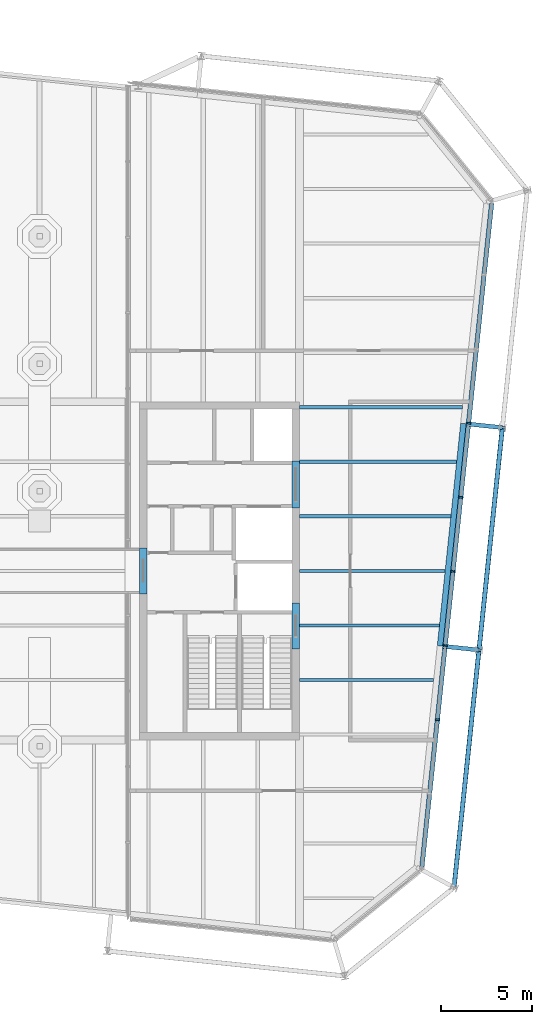
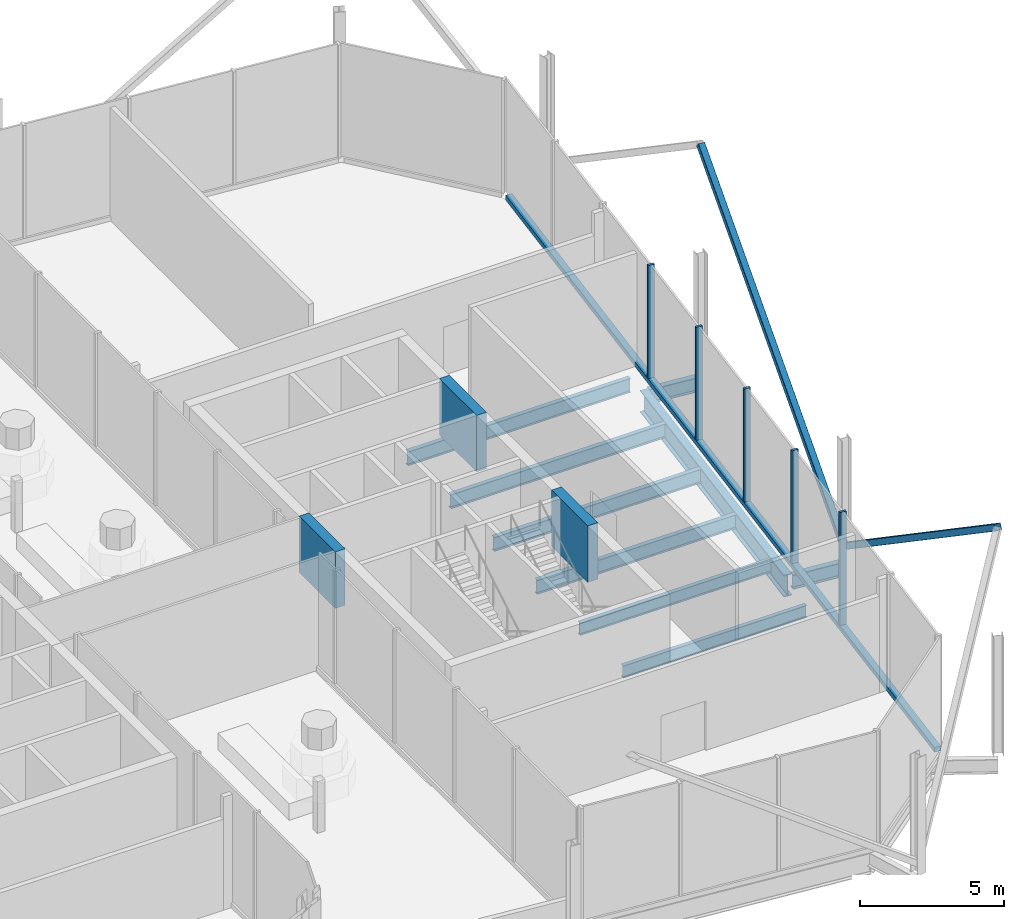
# One storey, part 5 of 14: 12 beams, 8 members, 1 element without a shape of its own.
"""IFC4 building model written with IfcOpenShell, lengths in metres."""

from ifc_helpers import new_model, si_unit, direction, frame, origin, origin_2d, place, context, subcontext, project, spatial, rectangle, hollow_rectangle, i_section, extrude, material, layer, layer_set, material_profile, profile_set, type_object, element, aggregate, save


model = new_model("IFC4")

# Units and contexts
model_context = context("Model", 3, precision=1e-05, world=origin(), true_north=direction((0.0, 1.0)))
body_context = subcontext(model_context, "Body", "Model", "MODEL_VIEW")
ifc_project = project(units=[si_unit("LENGTHUNIT", "METRE"), si_unit("AREAUNIT", "SQUARE_METRE"), si_unit("VOLUMEUNIT", "CUBIC_METRE"), si_unit("PLANEANGLEUNIT", "RADIAN"), si_unit("MASSUNIT", "GRAM", prefix="KILO")], contexts=[model_context])

# Site, building, storey
site_placement = place(None, origin())
site = spatial("IfcSite", under=ifc_project, at=site_placement, CompositionType="ELEMENT")
building_placement = place(site_placement, origin())
building = spatial("IfcBuilding", under=site, at=building_placement, Name="Millrace Tower", CompositionType="ELEMENT")
storey_placement = place(building_placement, frame((0.0, 0.0, 342.10009765625)))
storey = spatial("IfcBuildingStorey", under=building, at=storey_placement, Name="L79", CompositionType="ELEMENT", Elevation=342.10009765625)

# Curtain wall, members
ifc_material_1 = material(Name="Aluminium and glass", Category="aluminium")
ifc_layer = layer(ifc_material_1, 0.25)
ifc_layer_set = layer_set([ifc_layer], Name="Aluminium and glass")
curtain_wall_type = type_object("IfcCurtainWallType", Name="CW-7 crown louvred enclosure", PredefinedType="NOTDEFINED", material=ifc_layer_set)
curtain_wall_placement = place(storey_placement, origin())
curtain_wall = element("IfcCurtainWall", 1, at=curtain_wall_placement, inside=storey, type_object=curtain_wall_type, Name="Curtain wall CE-F04 L79", PredefinedType="NOTDEFINED")
ifc_material_2 = material(Name="Aluminium", Category="aluminium")
ifc_material_profile_1 = material_profile(ifc_material_2, rectangle(XDim=0.10009765625, YDim=0.25, at=origin_2d()))
ifc_profile_set_1 = profile_set([ifc_material_profile_1], Name="Aluminium")
member_type_1 = type_object("IfcMemberType", Name="CW-7 crown louvred enclosure mullion", PredefinedType="MULLION", material=ifc_profile_set_1)
member_1_placement = place(storey_placement, frame((21.883544921875, -8.185302734375, 0.199951171875), z_axis=(0.0, 0.0, 1.0), x_axis=(0.104528455196, 0.994521896217, 0.0)))
member_1 = element("IfcMember", 2, at=member_1_placement, type_object=member_type_1, Name="CW7 mullion CE-F04.3", PredefinedType="MULLION", context=body_context, shape_type="SweptSolid", body=[
    extrude(rectangle(XDim=0.10009765625, YDim=0.25, at=origin_2d()), origin(), (0.0, 0.0, 1.0), 4.800048828125),
])
member_2_placement = place(storey_placement, frame((22.31201171875, -4.107666015625, 0.199951171875), z_axis=(0.0, 0.0, 1.0), x_axis=(0.104528455196, 0.994521896217, 0.0)))
member_2 = element("IfcMember", 3, at=member_2_placement, type_object=member_type_1, Name="CW7 mullion CE-F04.4", PredefinedType="MULLION", context=body_context, shape_type="SweptSolid", body=[
    extrude(rectangle(XDim=0.10009765625, YDim=0.25, at=origin_2d()), origin(), (0.0, 0.0, 1.0), 4.800048828125),
])
member_3_placement = place(storey_placement, frame((22.74072265625, -0.030029296875, 0.199951171875), z_axis=(0.0, 0.0, 1.0), x_axis=(0.104528455196, 0.994521896217, 0.0)))
member_3 = element("IfcMember", 4, at=member_3_placement, type_object=member_type_1, Name="CW7 mullion CE-F04.5", PredefinedType="MULLION", context=body_context, shape_type="SweptSolid", body=[
    extrude(rectangle(XDim=0.10009765625, YDim=0.25, at=origin_2d()), origin(), (0.0, 0.0, 1.0), 4.800048828125),
])
member_4_placement = place(storey_placement, frame((23.169189453125, 4.04736328125, 0.199951171875), z_axis=(0.0, 0.0, 1.0), x_axis=(0.104528455196, 0.994521896217, 0.0)))
member_4 = element("IfcMember", 5, at=member_4_placement, type_object=member_type_1, Name="CW7 mullion CE-F04.6", PredefinedType="MULLION", context=body_context, shape_type="SweptSolid", body=[
    extrude(rectangle(XDim=0.10009765625, YDim=0.25, at=origin_2d()), origin(), (0.0, 0.0, 1.0), 4.800048828125),
])
member_5_placement = place(storey_placement, frame((23.59765625, 8.125, 0.199951171875), z_axis=(0.0, 0.0, 1.0), x_axis=(0.104528455196, 0.994521896217, 0.0)))
member_5 = element("IfcMember", 6, at=member_5_placement, type_object=member_type_1, Name="CW7 mullion CE-F04.7", PredefinedType="MULLION", context=body_context, shape_type="SweptSolid", body=[
    extrude(rectangle(XDim=0.10009765625, YDim=0.25, at=origin_2d()), origin(), (0.0, 0.0, 1.0), 4.800048828125),
])
ifc_material_3 = material(Name="Aluminium", Category="aluminium")
ifc_material_profile_2 = material_profile(ifc_material_3, rectangle(XDim=0.25, YDim=0.199951171875, at=origin_2d()))
ifc_profile_set_2 = profile_set([ifc_material_profile_2], Name="Aluminium")
member_type_2 = type_object("IfcMemberType", Name="CW-7 crown louvred enclosure transom", PredefinedType="USERDEFINED", material=ifc_profile_set_2)
member_6_placement = place(storey_placement, frame((21.031494140625, -16.29052734375, 0.099853515625), z_axis=(0.104527916025, 0.994521952886, 0.0), x_axis=(-0.994521952886, 0.104527916025, 0.0)))
member_6 = element("IfcMember", 7, at=member_6_placement, type_object=member_type_2, Name="CW7 transom CE-F04.1", ObjectType="TRANSOM", PredefinedType="USERDEFINED", context=body_context, shape_type="SweptSolid", body=[
    extrude(rectangle(XDim=0.25, YDim=0.199951171875, at=origin_2d()), origin(), (0.0, 0.0, 1.0), 36.699951171875),
])
aggregate(curtain_wall, [member_1, member_2, member_3, member_4, member_5, member_6])

# Beams
ifc_material_4 = material(Name="Concrete C60", Category="concrete")
ifc_material_profile_3 = material_profile(ifc_material_4, rectangle(XDim=0.39990234375, YDim=2.39990234375, at=origin_2d()))
ifc_profile_set_3 = profile_set([ifc_material_profile_3], Name="Concrete C60")
beam_type_1 = type_object("IfcBeamType", Name="Coupling beam 400 x 2400 Concrete C60, 1300 opening", PredefinedType="BEAM", material=ifc_profile_set_3)
for number, where, z_axis, x_axis, name in (
    (8, (14.10009765625, -1.77001953125, 3.599853515625), (0.0, -1.0, 0.0), (1.0, 0.0, 0.0), "Coupling beam E L79"),
    (9, (5.699951171875, 1.260009765625, 3.599853515625), (0.0, -1.0, 0.0), (1.0, 0.0, 0.0), "Coupling beam E L79"),
):
    element("IfcBeam", number, at=place(storey_placement, frame(where, z_axis=z_axis, x_axis=x_axis)), inside=storey, type_object=beam_type_1, Name=name, PredefinedType="BEAM", context=body_context, shape_type="SweptSolid", body=[
        extrude(rectangle(XDim=0.39990234375, YDim=2.39990234375, at=origin_2d()), origin(), (0.0, 0.0, 1.0), 2.52001953125),
    ])
ifc_material_5 = material(Name="Concrete C60", Category="concrete")
ifc_material_profile_4 = material_profile(ifc_material_5, rectangle(XDim=0.39990234375, YDim=2.39990234375, at=origin_2d()))
ifc_profile_set_4 = profile_set([ifc_material_profile_4], Name="Concrete C60")
beam_type_2 = type_object("IfcBeamType", Name="Coupling beam 400 x 2400 Concrete C60, 2000 opening", PredefinedType="BEAM", material=ifc_profile_set_4)
beam_1_placement = place(storey_placement, frame((14.10009765625, 6.050048828125, 3.599853515625), z_axis=(0.0, -1.0, 0.0), x_axis=(1.0, 0.0, 0.0)))
element("IfcBeam", 10, at=beam_1_placement, inside=storey, type_object=beam_type_2, Name="Coupling beam E L79", PredefinedType="BEAM", context=body_context, shape_type="SweptSolid", body=[
    extrude(rectangle(XDim=0.39990234375, YDim=2.39990234375, at=origin_2d()), origin(), (0.0, 0.0, 1.0), 2.60009765625),
])

# Members
ifc_material_6 = material(Name="Steel ASTM A500 Grade C", Category="steel")
ifc_material_profile_5 = material_profile(ifc_material_6, hollow_rectangle(XDim=0.25390625, YDim=0.25390625, WallThickness=0.009521484375, InnerFilletRadius=0.004638671875, OuterFilletRadius=0.014404296875, at=origin_2d()))
ifc_profile_set_5 = profile_set([ifc_material_profile_5], Name="Steel ASTM A500 Grade C")
member_type_3 = type_object("IfcMemberType", Name="Exoskeleton brace HSS10x10x3/8", PredefinedType="BRACE", material=ifc_profile_set_5)
member_7_placement = place(storey_placement, frame((24.171630859375, -4.353271484375, 0.39990234375), z_axis=(-0.085602921275, -0.814453696815, 0.57387918207), x_axis=(0.994521846076, -0.104528932251, 0.0)))
element("IfcMember", 11, at=member_7_placement, inside=storey, type_object=member_type_3, Name="BRC-CROWN-L79-06", PredefinedType="BRACE", context=body_context, shape_type="SweptSolid", body=[
    extrude(hollow_rectangle(XDim=0.25390625, YDim=0.25390625, WallThickness=0.009521484375, InnerFilletRadius=0.004638671875, OuterFilletRadius=0.014404296875, at=origin_2d()), origin(), (0.0, 0.0, 1.0), 16.03125),
])
member_8_placement = place(storey_placement, frame((24.171630859375, -4.353271484375, 0.39990234375), z_axis=(0.083701786442, 0.796390867434, 0.598962099982), x_axis=(-0.994522189618, 0.10452566363, 0.0)))
element("IfcMember", 12, at=member_8_placement, inside=storey, type_object=member_type_3, Name="BRC-CROWN-L79-07", PredefinedType="BRACE", context=body_context, shape_type="SweptSolid", body=[
    extrude(hollow_rectangle(XDim=0.25390625, YDim=0.25390625, WallThickness=0.009521484375, InnerFilletRadius=0.004638671875, OuterFilletRadius=0.014404296875, at=origin_2d()), origin(), (0.0, 0.0, 1.0), 15.35986328125),
])

# Beams
ifc_material_7 = material(Name="Steel ASTM A992 Grade 50", Category="steel")
ifc_material_profile_6 = material_profile(ifc_material_7, i_section(OverallWidth=0.1650390625, OverallDepth=0.52587890625, WebThickness=0.0087890625, FlangeThickness=0.011474609375, FilletRadius=0.0126953125, at=origin_2d()))
ifc_profile_set_6 = profile_set([ifc_material_profile_6], Name="Steel ASTM A992 Grade 50")
beam_type_3 = type_object("IfcBeamType", Name="Floor beam W21x44", PredefinedType="JOIST", material=ifc_profile_set_6)
beam_2_placement = place(storey_placement, frame((14.300048828125, -6.0, -0.462890625), z_axis=(1.0, 0.0, 0.0), x_axis=(0.0, 1.0, 0.0)))
element("IfcBeam", 13, at=beam_2_placement, inside=storey, type_object=beam_type_3, Name="BM-CROWN-L79-S1-S010", PredefinedType="JOIST", context=body_context, shape_type="SweptSolid", body=[
    extrude(i_section(OverallWidth=0.1650390625, OverallDepth=0.52587890625, WebThickness=0.0087890625, FlangeThickness=0.011474609375, FilletRadius=0.0126953125, at=origin_2d()), origin(), (0.0, 0.0, 1.0), 7.37841796875),
])
beam_3_placement = place(storey_placement, frame((14.300048828125, -3.0, -0.462890625), z_axis=(1.0, 0.0, 0.0), x_axis=(0.0, 1.0, 0.0)))
element("IfcBeam", 14, at=beam_3_placement, inside=storey, type_object=beam_type_3, Name="BM-CROWN-L79-S1-S013", PredefinedType="JOIST", context=body_context, shape_type="SweptSolid", body=[
    extrude(i_section(OverallWidth=0.1650390625, OverallDepth=0.52587890625, WebThickness=0.0087890625, FlangeThickness=0.011474609375, FilletRadius=0.0126953125, at=origin_2d()), origin(), (0.0, 0.0, 1.0), 7.693603515625),
])
ifc_material_8 = material(Name="Steel ASTM A992 Grade 50", Category="steel")
ifc_material_profile_7 = material_profile(ifc_material_8, i_section(OverallWidth=0.177978515625, OverallDepth=0.599365234375, WebThickness=0.010009765625, FlangeThickness=0.012939453125, FilletRadius=0.012939453125, at=origin_2d()))
ifc_profile_set_7 = profile_set([ifc_material_profile_7], Name="Steel ASTM A992 Grade 50")
beam_type_4 = type_object("IfcBeamType", Name="Floor beam W24x55", PredefinedType="JOIST", material=ifc_profile_set_7)
beam_4_placement = place(storey_placement, frame((14.300048828125, 0.0, -0.499755859375), z_axis=(1.0, 0.0, 0.0), x_axis=(0.0, 1.0, 0.0)))
element("IfcBeam", 15, at=beam_4_placement, inside=storey, type_object=beam_type_4, Name="BM-CROWN-L79-S1-S016", PredefinedType="JOIST", context=body_context, shape_type="SweptSolid", body=[
    extrude(i_section(OverallWidth=0.177978515625, OverallDepth=0.599365234375, WebThickness=0.010009765625, FlangeThickness=0.012939453125, FilletRadius=0.012939453125, at=origin_2d()), origin(), (0.0, 0.0, 1.0), 8.009033203125),
])
beam_5_placement = place(storey_placement, frame((14.300048828125, 3.0, -0.499755859375), z_axis=(1.0, 0.0, 0.0), x_axis=(0.0, 1.0, 0.0)))
element("IfcBeam", 16, at=beam_5_placement, inside=storey, type_object=beam_type_4, Name="BM-CROWN-L79-S1-S019", PredefinedType="JOIST", context=body_context, shape_type="SweptSolid", body=[
    extrude(i_section(OverallWidth=0.177978515625, OverallDepth=0.599365234375, WebThickness=0.010009765625, FlangeThickness=0.012939453125, FilletRadius=0.012939453125, at=origin_2d()), origin(), (0.0, 0.0, 1.0), 8.324462890625),
])
beam_6_placement = place(storey_placement, frame((14.300048828125, 6.0, -0.499755859375), z_axis=(1.0, 0.0, 0.0), x_axis=(0.0, 1.0, 0.0)))
element("IfcBeam", 17, at=beam_6_placement, inside=storey, type_object=beam_type_4, Name="BM-CROWN-L79-S1-S022", PredefinedType="JOIST", context=body_context, shape_type="SweptSolid", body=[
    extrude(i_section(OverallWidth=0.177978515625, OverallDepth=0.599365234375, WebThickness=0.010009765625, FlangeThickness=0.012939453125, FilletRadius=0.012939453125, at=origin_2d()), origin(), (0.0, 0.0, 1.0), 8.6396484375),
])
beam_7_placement = place(storey_placement, frame((14.300048828125, 9.0, -0.499755859375), z_axis=(1.0, 0.0, 0.0), x_axis=(0.0, 1.0, 0.0)))
element("IfcBeam", 18, at=beam_7_placement, inside=storey, type_object=beam_type_4, Name="BM-CROWN-L79-S1-S024", PredefinedType="JOIST", context=body_context, shape_type="SweptSolid", body=[
    extrude(i_section(OverallWidth=0.177978515625, OverallDepth=0.599365234375, WebThickness=0.010009765625, FlangeThickness=0.012939453125, FilletRadius=0.012939453125, at=origin_2d()), origin(), (0.0, 0.0, 1.0), 8.955078125),
])
ifc_material_9 = material(Name="Steel ASTM A992 Grade 50", Category="steel")
ifc_material_profile_8 = material_profile(ifc_material_9, i_section(OverallWidth=0.23046875, OverallDepth=0.6171875, WebThickness=0.01318359375, FlangeThickness=0.022216796875, FilletRadius=0.012939453125, at=origin_2d()))
ifc_profile_set_8 = profile_set([ifc_material_profile_8], Name="Steel ASTM A992 Grade 50")
beam_type_5 = type_object("IfcBeamType", Name="Link beam W24x94", PredefinedType="BEAM", material=ifc_profile_set_8)
for number, where, z_axis, x_axis, name in (
    (19, (23.46826171875, 8.08837890625, -0.5087890625), (0.994512808172, -0.104614886044, 0.0), (0.104614886044, 0.994512808172, 0.0), "LNK-CROWN-L79-S1-09"),
    (20, (22.1826171875, -4.144287109375, -0.5087890625), (0.99452550138, -0.104494148666, 0.0), (0.104494148666, 0.99452550138, 0.0), "LNK-CROWN-L79-S1-10"),
):
    element("IfcBeam", number, at=place(storey_placement, frame(where, z_axis=z_axis, x_axis=x_axis)), inside=storey, type_object=beam_type_5, Name=name, PredefinedType="BEAM", context=body_context, shape_type="SweptSolid", body=[
        extrude(i_section(OverallWidth=0.23046875, OverallDepth=0.6171875, WebThickness=0.01318359375, FlangeThickness=0.022216796875, FilletRadius=0.012939453125, at=origin_2d()), origin(), (0.0, 0.0, 1.0), 2.0),
    ])
ifc_material_10 = material(Name="Steel ASTM A992 Grade 50", Category="steel")
ifc_material_profile_9 = material_profile(ifc_material_10, i_section(OverallWidth=0.307373046875, OverallDepth=0.927001953125, WebThickness=0.01953125, FlangeThickness=0.031982421875, FilletRadius=0.01904296875, at=origin_2d()))
ifc_profile_set_9 = profile_set([ifc_material_profile_9], Name="Steel ASTM A992 Grade 50")
beam_type_6 = type_object("IfcBeamType", Name="Ring beam medium span W36x194", PredefinedType="SPANDREL", material=ifc_profile_set_9)
beam_8_placement = place(storey_placement, frame((23.3154296875, 8.104248046875, -0.66357421875), z_axis=(-0.10452566363, -0.994522189618, 0.0), x_axis=(0.994522189618, -0.10452566363, 0.0)))
element("IfcBeam", 21, at=beam_8_placement, inside=storey, type_object=beam_type_6, Name="RNG-CROWN-L79-S1-09", PredefinedType="SPANDREL", context=body_context, shape_type="SweptSolid", body=[
    extrude(i_section(OverallWidth=0.307373046875, OverallDepth=0.927001953125, WebThickness=0.01953125, FlangeThickness=0.031982421875, FilletRadius=0.01904296875, at=origin_2d()), origin(), (0.0, 0.0, 1.0), 12.2998046875),
])

save(model, "model.ifc")
